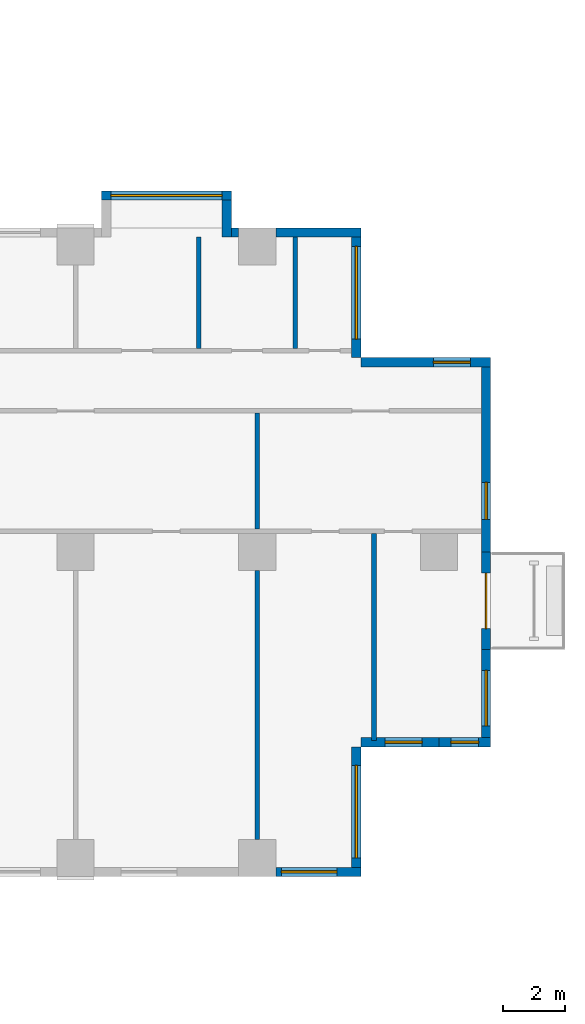
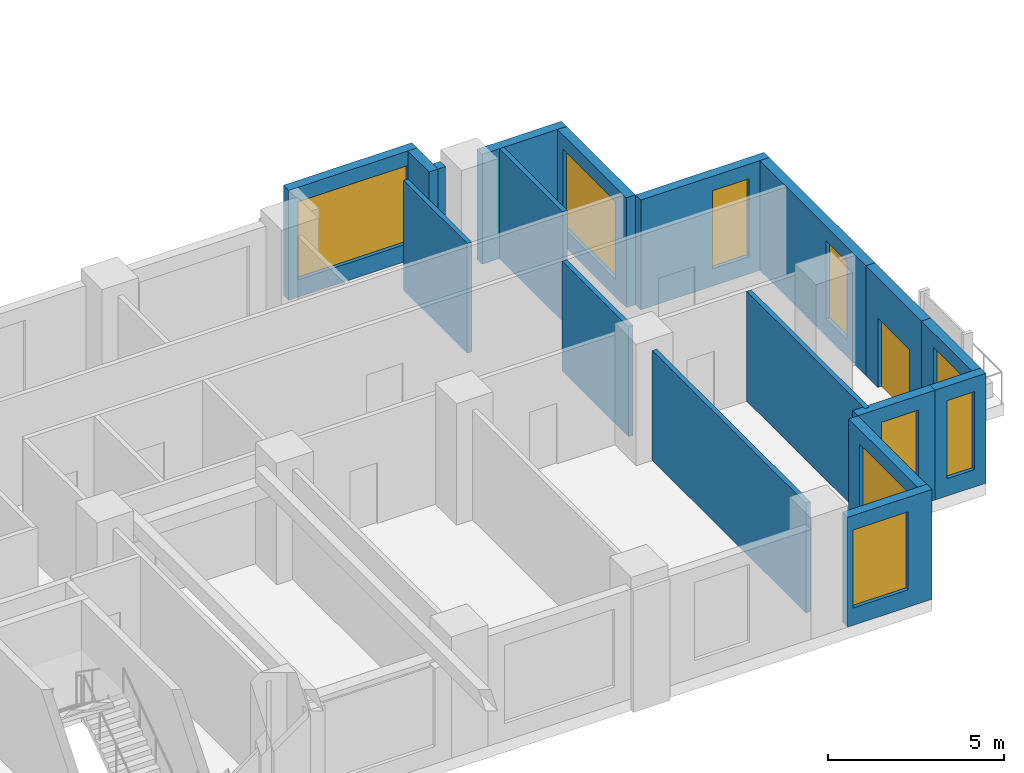
# One storey, part 8 of 14: 18 walls, 9 windows, 1 door, 10 openings.
"""IFC4 building model written with IfcOpenShell, lengths in metres."""

from ifc_helpers import new_model, si_unit, direction, frame, frame_2d, origin, place, context, subcontext, project, spatial, rectangle, extrude, source, transform, mapped, material, layer, layer_set, type_object, element, fill, save


model = new_model("IFC4")

# Units and contexts
model_context = context("Model", 3, precision=1e-05, world=origin(), true_north=direction((0.0, 1.0)))
body_context = subcontext(model_context, "Body", "Model", "MODEL_VIEW")
ifc_project = project(units=[si_unit("LENGTHUNIT", "METRE"), si_unit("AREAUNIT", "SQUARE_METRE"), si_unit("VOLUMEUNIT", "CUBIC_METRE"), si_unit("PLANEANGLEUNIT", "RADIAN"), si_unit("MASSUNIT", "GRAM", prefix="KILO")], contexts=[model_context])

# Site, building, storey
site_placement = place(None, origin())
site = spatial("IfcSite", under=ifc_project, at=site_placement, CompositionType="ELEMENT")
building_placement = place(site_placement, origin())
building = spatial("IfcBuilding", under=site, at=building_placement, Name="Aurelian Terraces", CompositionType="ELEMENT")
storey_placement = place(building_placement, frame((0.0, 0.0, 40.5)))
storey = spatial("IfcBuildingStorey", under=building, at=storey_placement, Name="L07", CompositionType="ELEMENT", Elevation=40.5)

# Wall, opening, window
ifc_material_1 = material(Name="Terracotta rainscreen cladding", Category="masonry")
ifc_layer_1 = layer(ifc_material_1, 0.3)
ifc_layer_set_1 = layer_set([ifc_layer_1], Name="EW-300")
wall_type_1 = type_object("IfcWallType", Name="EW-300", PredefinedType="STANDARD", material=ifc_layer_set_1)
wall_1_placement = place(storey_placement, frame((64.44, 0.15, 0.0), z_axis=(0.0, 0.0, 1.0), x_axis=(1.0, 0.0, 0.0)))
wall_1 = element("IfcWall", 1, at=wall_1_placement, inside=storey, type_object=wall_type_1, Name="External wall L07 F01.11", PredefinedType="STANDARD", context=body_context, shape_type="SweptSolid", body=[
    extrude(rectangle(XDim=2.76, YDim=0.3, at=frame_2d((1.38, 0.0))), origin(), (0.0, 0.0, 1.0), 3.8),
])
shared_shape_1 = source(origin(), body_context, "Body", "SweptSolid", [
    extrude(rectangle(XDim=1.8, YDim=2.7, at=frame_2d((0.9, 1.35))), frame((0.0, 0.16, 0.0), z_axis=(0.0, -1.0, 0.0), x_axis=(1.0, 0.0, 0.0)), (0.0, 0.0, 1.0), 0.32),
])
opening_1_placement = place(wall_1_placement, frame((0.18, 0.0, 0.6)))
opening_1 = element("IfcOpeningElement", 2, at=opening_1_placement, cuts=wall_1, Name="Opening W1827", PredefinedType="OPENING", context=body_context, shape_type="MappedRepresentation", body=[
    mapped(shared_shape_1, transform((0.0, 0.0, 0.0), scale=1.0)),
])
ifc_material_2 = material(Name="Clear glazing", Category="glass")
window_type_1 = type_object("IfcWindowType", Name="W-1800x2700", PartitioningType="SINGLE_PANEL", PredefinedType="WINDOW", material=ifc_material_2)
shared_shape_2 = source(origin(), body_context, "Body", "SweptSolid", [
    extrude(rectangle(XDim=1.8, YDim=2.7, at=frame_2d((0.9, 1.35))), frame((0.0, 0.03, 0.0), z_axis=(0.0, -1.0, 0.0), x_axis=(1.0, 0.0, 0.0)), (0.0, 0.0, 1.0), 0.06),
])
window_1_placement = place(opening_1_placement, origin())
window_1 = element("IfcWindow", 3, at=window_1_placement, inside=storey, type_object=window_type_1, Name="Window L07 L07-F01-11-0", OverallHeight=2.7, OverallWidth=1.8, PartitioningType="SINGLE_PANEL", PredefinedType="WINDOW", context=body_context, shape_type="MappedRepresentation", body=[
    mapped(shared_shape_2, transform((0.0, 0.0, 0.0), scale=1.0)),
])
fill(opening_1, window_1)

wall_2_placement = place(storey_placement, frame((67.05, 0.0, 0.0), z_axis=(0.0, 0.0, 1.0), x_axis=(0.0, 1.0, 0.0)))
wall_2 = element("IfcWall", 4, at=wall_2_placement, inside=storey, type_object=wall_type_1, Name="External wall L07 F02.12", PredefinedType="STANDARD", context=body_context, shape_type="SweptSolid", body=[
    extrude(rectangle(XDim=4.2, YDim=0.3, at=frame_2d((2.1, 0.0))), origin(), (0.0, 0.0, 1.0), 3.8),
])
opening_2_placement = place(wall_2_placement, frame((0.6, 0.0, 0.6)))
opening_2 = element("IfcOpeningElement", 5, at=opening_2_placement, cuts=wall_2, Name="Opening W3027", PredefinedType="OPENING", context=body_context, shape_type="SweptSolid", body=[
    extrude(rectangle(XDim=3.0, YDim=2.7, at=frame_2d((1.5, 1.35))), frame((0.0, 0.16, 0.0), z_axis=(0.0, -1.0, 0.0), x_axis=(1.0, 0.0, 0.0)), (0.0, 0.0, 1.0), 0.32),
])
window_type_2 = type_object("IfcWindowType", Name="W-3000x2700", PartitioningType="SINGLE_PANEL", PredefinedType="WINDOW", material=ifc_material_2)
window_2_placement = place(opening_2_placement, origin())
window_2 = element("IfcWindow", 6, at=window_2_placement, inside=storey, type_object=window_type_2, Name="Window L07 L07-F02-12-0", OverallHeight=2.7, OverallWidth=3.0, PartitioningType="SINGLE_PANEL", PredefinedType="WINDOW", context=body_context, shape_type="SweptSolid", body=[
    extrude(rectangle(XDim=3.0, YDim=2.7, at=frame_2d((1.5, 1.35))), frame((0.0, 0.03, 0.0), z_axis=(0.0, -1.0, 0.0), x_axis=(1.0, 0.0, 0.0)), (0.0, 0.0, 1.0), 0.06),
])
fill(opening_2, window_2)

wall_3_placement = place(storey_placement, frame((67.2, 4.35, 0.0), z_axis=(0.0, 0.0, 1.0), x_axis=(1.0, 0.0, 0.0)))
wall_3 = element("IfcWall", 7, at=wall_3_placement, inside=storey, type_object=wall_type_1, Name="External wall L07 F03.13", PredefinedType="STANDARD", context=body_context, shape_type="SweptSolid", body=[
    extrude(rectangle(XDim=2.52, YDim=0.3, at=frame_2d((1.26, 0.0))), origin(), (0.0, 0.0, 1.0), 3.8),
])
shared_shape_3 = source(origin(), body_context, "Body", "SweptSolid", [
    extrude(rectangle(XDim=1.2, YDim=2.7, at=frame_2d((0.6, 1.35))), frame((0.0, 0.16, 0.0), z_axis=(0.0, -1.0, 0.0), x_axis=(1.0, 0.0, 0.0)), (0.0, 0.0, 1.0), 0.32),
])
opening_3_placement = place(wall_3_placement, frame((0.7775, 0.0, 0.6)))
opening_3 = element("IfcOpeningElement", 8, at=opening_3_placement, cuts=wall_3, Name="Opening W1227", PredefinedType="OPENING", context=body_context, shape_type="MappedRepresentation", body=[
    mapped(shared_shape_3, transform((0.0, 0.0, 0.0), scale=1.0)),
])
window_type_3 = type_object("IfcWindowType", Name="W-1200x2700", PartitioningType="SINGLE_PANEL", PredefinedType="WINDOW", material=ifc_material_2)
shared_shape_4 = source(origin(), body_context, "Body", "SweptSolid", [
    extrude(rectangle(XDim=1.2, YDim=2.7, at=frame_2d((0.6, 1.35))), frame((0.0, 0.03, 0.0), z_axis=(0.0, -1.0, 0.0), x_axis=(1.0, 0.0, 0.0)), (0.0, 0.0, 1.0), 0.06),
])
window_3_placement = place(opening_3_placement, origin())
window_3 = element("IfcWindow", 9, at=window_3_placement, inside=storey, type_object=window_type_3, Name="Window L07 L07-F03-13-P0", OverallHeight=2.7, OverallWidth=1.2, PartitioningType="SINGLE_PANEL", PredefinedType="WINDOW", context=body_context, shape_type="MappedRepresentation", body=[
    mapped(shared_shape_4, transform((0.0, 0.0, 0.0), scale=1.0)),
])
fill(opening_3, window_3)

wall_4_placement = place(storey_placement, frame((69.72, 4.35, 0.0), z_axis=(0.0, 0.0, 1.0), x_axis=(1.0, 0.0, 0.0)))
wall_4 = element("IfcWall", 10, at=wall_4_placement, inside=storey, type_object=wall_type_1, Name="External wall L07 F03.14", PredefinedType="STANDARD", context=body_context, shape_type="SweptSolid", body=[
    extrude(rectangle(XDim=1.68, YDim=0.3, at=frame_2d((0.84, 0.0))), origin(), (0.0, 0.0, 1.0), 3.8),
])
shared_shape_5 = source(origin(), body_context, "Body", "SweptSolid", [
    extrude(rectangle(XDim=0.9, YDim=2.7, at=frame_2d((0.45, 1.35))), frame((0.0, 0.16, 0.0), z_axis=(0.0, -1.0, 0.0), x_axis=(1.0, 0.0, 0.0)), (0.0, 0.0, 1.0), 0.32),
])
opening_4_placement = place(wall_4_placement, frame((0.39, 0.0, 0.6)))
opening_4 = element("IfcOpeningElement", 11, at=opening_4_placement, cuts=wall_4, Name="Opening W0927", PredefinedType="OPENING", context=body_context, shape_type="MappedRepresentation", body=[
    mapped(shared_shape_5, transform((0.0, 0.0, 0.0), scale=1.0)),
])
window_type_4 = type_object("IfcWindowType", Name="W-900x2700", PartitioningType="SINGLE_PANEL", PredefinedType="WINDOW", material=ifc_material_2)
shared_shape_6 = source(origin(), body_context, "Body", "SweptSolid", [
    extrude(rectangle(XDim=0.9, YDim=2.7, at=frame_2d((0.45, 1.35))), frame((0.0, 0.03, 0.0), z_axis=(0.0, -1.0, 0.0), x_axis=(1.0, 0.0, 0.0)), (0.0, 0.0, 1.0), 0.06),
])
window_4_placement = place(opening_4_placement, origin())
window_4 = element("IfcWindow", 12, at=window_4_placement, inside=storey, type_object=window_type_4, Name="Window L07 L07-F03-14-P0", OverallHeight=2.7, OverallWidth=0.9, PartitioningType="SINGLE_PANEL", PredefinedType="WINDOW", context=body_context, shape_type="MappedRepresentation", body=[
    mapped(shared_shape_6, transform((0.0, 0.0, 0.0), scale=1.0)),
])
fill(opening_4, window_4)

wall_5_placement = place(storey_placement, frame((71.25, 10.5, 0.0), z_axis=(0.0, 0.0, 1.0), x_axis=(0.0, 1.0, 0.0)))
wall_5 = element("IfcWall", 13, at=wall_5_placement, inside=storey, type_object=wall_type_1, Name="External wall L07 F04.17", PredefinedType="STANDARD", context=body_context, shape_type="SweptSolid", body=[
    extrude(rectangle(XDim=6.3, YDim=0.3, at=frame_2d((3.15, 0.0))), origin(), (0.0, 0.0, 1.0), 3.8),
])
opening_5_placement = place(wall_5_placement, frame((1.0625, 0.0, 0.6)))
opening_5 = element("IfcOpeningElement", 14, at=opening_5_placement, cuts=wall_5, Name="Opening W1227", PredefinedType="OPENING", context=body_context, shape_type="MappedRepresentation", body=[
    mapped(shared_shape_3, transform((0.0, 0.0, 0.0), scale=1.0)),
])
window_5_placement = place(opening_5_placement, origin())
window_5 = element("IfcWindow", 15, at=window_5_placement, inside=storey, type_object=window_type_3, Name="Window L07 L07-F04-17-0", OverallHeight=2.7, OverallWidth=1.2, PartitioningType="SINGLE_PANEL", PredefinedType="WINDOW", context=body_context, shape_type="MappedRepresentation", body=[
    mapped(shared_shape_4, transform((0.0, 0.0, 0.0), scale=1.0)),
])
fill(opening_5, window_5)

# Walls
wall_6_placement = place(storey_placement, frame((63.24, 20.85, 0.0), z_axis=(0.0, 0.0, 1.0), x_axis=(-1.0, 0.0, 0.0)))
element("IfcWall", 16, at=wall_6_placement, inside=storey, type_object=wall_type_1, Name="External wall L07 F07.20", PredefinedType="STANDARD", context=body_context, shape_type="SweptSolid", body=[
    extrude(rectangle(XDim=0.24, YDim=0.3, at=frame_2d((0.12, 0.0))), origin(), (0.0, 0.0, 1.0), 3.8),
])
wall_7_placement = place(storey_placement, frame((62.85, 20.7, 0.0), z_axis=(0.0, 0.0, 1.0), x_axis=(0.0, 1.0, 0.0)))
element("IfcWall", 17, at=wall_7_placement, inside=storey, type_object=wall_type_1, Name="Bay return L07 F07.21.1", PredefinedType="STANDARD", context=body_context, shape_type="SweptSolid", body=[
    extrude(rectangle(XDim=1.2, YDim=0.3, at=frame_2d((0.6, 0.0))), origin(), (0.0, 0.0, 1.0), 3.8),
])
ifc_material_3 = material(Name="Gypsum board on steel studs", Category="steel")
ifc_layer_2 = layer(ifc_material_3, 0.15)
ifc_layer_set_2 = layer_set([ifc_layer_2], Name="Partition 150")
wall_type_2 = type_object("IfcWallType", Name="Partition 150", PredefinedType="PARTITIONING", material=ifc_layer_set_2)
wall_8_placement = place(storey_placement, frame((67.62, 4.405, 0.0), z_axis=(0.0, 0.0, 1.0), x_axis=(0.0, 1.0, 0.0)))
element("IfcWall", 18, at=wall_8_placement, inside=storey, type_object=wall_type_2, Name="Partition", PredefinedType="PARTITIONING", context=body_context, shape_type="SweptSolid", body=[
    extrude(rectangle(XDim=6.695, YDim=0.15, at=frame_2d((3.3475, 0.0))), origin(), (0.0, 0.0, 1.0), 3.8),
])

# Wall, opening, window
shared_shape_7 = source(origin(), body_context, "Body", "SweptSolid", [
    extrude(rectangle(XDim=3.15, YDim=0.3, at=frame_2d((1.575, 0.0))), origin(), (0.0, 0.0, 1.0), 3.8),
])
wall_9_placement = place(storey_placement, frame((71.25, 4.2, 0.0), z_axis=(0.0, 0.0, 1.0), x_axis=(0.0, 1.0, 0.0)))
wall_9 = element("IfcWall", 19, at=wall_9_placement, inside=storey, type_object=wall_type_1, Name="External wall L07 F04.15", PredefinedType="STANDARD", context=body_context, shape_type="MappedRepresentation", body=[
    mapped(shared_shape_7, transform((0.0, 0.0, 0.0), scale=1.0)),
])
opening_6_placement = place(wall_9_placement, frame((0.675, 0.0, 0.6)))
opening_6 = element("IfcOpeningElement", 20, at=opening_6_placement, cuts=wall_9, Name="Opening W1827", PredefinedType="OPENING", context=body_context, shape_type="MappedRepresentation", body=[
    mapped(shared_shape_1, transform((0.0, 0.0, 0.0), scale=1.0)),
])
window_6_placement = place(opening_6_placement, origin())
window_6 = element("IfcWindow", 21, at=window_6_placement, inside=storey, type_object=window_type_1, Name="Window L07 L07-F04-15-0", OverallHeight=2.7, OverallWidth=1.8, PartitioningType="SINGLE_PANEL", PredefinedType="WINDOW", context=body_context, shape_type="MappedRepresentation", body=[
    mapped(shared_shape_2, transform((0.0, 0.0, 0.0), scale=1.0)),
])
fill(opening_6, window_6)

# Wall, opening, door
wall_10_placement = place(storey_placement, frame((71.25, 7.35, 0.0), z_axis=(0.0, 0.0, 1.0), x_axis=(0.0, 1.0, 0.0)))
wall_10 = element("IfcWall", 22, at=wall_10_placement, inside=storey, type_object=wall_type_1, Name="External wall L07 F04.16", PredefinedType="STANDARD", context=body_context, shape_type="MappedRepresentation", body=[
    mapped(shared_shape_7, transform((0.0, 0.0, 0.0), scale=1.0)),
])
shared_shape_8 = source(origin(), body_context, "Body", "SweptSolid", [
    extrude(rectangle(XDim=1.8, YDim=2.4, at=frame_2d((0.9, 1.2))), frame((0.0, 0.16, 0.0), z_axis=(0.0, -1.0, 0.0), x_axis=(1.0, 0.0, 0.0)), (0.0, 0.0, 1.0), 0.32),
])
opening_7_placement = place(wall_10_placement, frame((0.675, 0.0, 0.0)))
opening_7 = element("IfcOpeningElement", 23, at=opening_7_placement, cuts=wall_10, Name="Opening 80701", PredefinedType="OPENING", context=body_context, shape_type="MappedRepresentation", body=[
    mapped(shared_shape_8, transform((0.0, 0.0, 0.0), scale=1.0)),
])
door_type = type_object("IfcDoorType", Name="BD-1800x2400", OperationType="SLIDING_TO_LEFT", PredefinedType="DOOR", material=ifc_material_2)
shared_shape_9 = source(origin(), body_context, "Body", "SweptSolid", [
    extrude(rectangle(XDim=1.8, YDim=2.4, at=frame_2d((0.9, 1.2))), frame((0.0, 0.025, 0.0), z_axis=(0.0, -1.0, 0.0), x_axis=(1.0, 0.0, 0.0)), (0.0, 0.0, 1.0), 0.05),
])
door_placement = place(opening_7_placement, origin())
door = element("IfcDoor", 24, at=door_placement, inside=storey, type_object=door_type, Name="Balcony door L07 F04.16", OperationType="SLIDING_TO_LEFT", OverallHeight=2.4, OverallWidth=1.8, PredefinedType="DOOR", context=body_context, shape_type="MappedRepresentation", body=[
    mapped(shared_shape_9, transform((0.0, 0.0, 0.0), scale=1.0)),
])
fill(opening_7, door)

# Wall, opening, window
shared_shape_10 = source(origin(), body_context, "Body", "SweptSolid", [
    extrude(rectangle(XDim=4.2, YDim=0.3, at=frame_2d((2.1, 0.0))), origin(), (0.0, 0.0, 1.0), 3.8),
])
wall_11_placement = place(storey_placement, frame((71.4, 16.65, 0.0), z_axis=(0.0, 0.0, 1.0), x_axis=(-1.0, 0.0, 0.0)))
wall_11 = element("IfcWall", 25, at=wall_11_placement, inside=storey, type_object=wall_type_1, Name="External wall L07 F05.18", PredefinedType="STANDARD", context=body_context, shape_type="MappedRepresentation", body=[
    mapped(shared_shape_10, transform((0.0, 0.0, 0.0), scale=1.0)),
])
opening_8_placement = place(wall_11_placement, frame((0.66, 0.0, 0.6)))
opening_8 = element("IfcOpeningElement", 26, at=opening_8_placement, cuts=wall_11, Name="Opening W1227", PredefinedType="OPENING", context=body_context, shape_type="MappedRepresentation", body=[
    mapped(shared_shape_3, transform((0.0, 0.0, 0.0), scale=1.0)),
])
window_7_placement = place(opening_8_placement, origin())
window_7 = element("IfcWindow", 27, at=window_7_placement, inside=storey, type_object=window_type_3, Name="Window L07 L07-F05-18-0", OverallHeight=2.7, OverallWidth=1.2, PartitioningType="SINGLE_PANEL", PredefinedType="WINDOW", context=body_context, shape_type="MappedRepresentation", body=[
    mapped(shared_shape_4, transform((0.0, 0.0, 0.0), scale=1.0)),
])
fill(opening_8, window_7)

wall_12_placement = place(storey_placement, frame((67.05, 16.8, 0.0), z_axis=(0.0, 0.0, 1.0), x_axis=(0.0, 1.0, 0.0)))
wall_12 = element("IfcWall", 28, at=wall_12_placement, inside=storey, type_object=wall_type_1, Name="External wall L07 F06.19", PredefinedType="STANDARD", context=body_context, shape_type="MappedRepresentation", body=[
    mapped(shared_shape_10, transform((0.0, 0.0, 0.0), scale=1.0)),
])
shared_shape_11 = source(origin(), body_context, "Body", "SweptSolid", [
    extrude(rectangle(XDim=3.0, YDim=2.7, at=frame_2d((1.5, 1.35))), frame((0.0, 0.16, 0.0), z_axis=(0.0, -1.0, 0.0), x_axis=(1.0, 0.0, 0.0)), (0.0, 0.0, 1.0), 0.32),
])
opening_9_placement = place(wall_12_placement, frame((0.6, 0.0, 0.6)))
opening_9 = element("IfcOpeningElement", 29, at=opening_9_placement, cuts=wall_12, Name="Opening W3027", PredefinedType="OPENING", context=body_context, shape_type="MappedRepresentation", body=[
    mapped(shared_shape_11, transform((0.0, 0.0, 0.0), scale=1.0)),
])
shared_shape_12 = source(origin(), body_context, "Body", "SweptSolid", [
    extrude(rectangle(XDim=3.0, YDim=2.7, at=frame_2d((1.5, 1.35))), frame((0.0, 0.03, 0.0), z_axis=(0.0, -1.0, 0.0), x_axis=(1.0, 0.0, 0.0)), (0.0, 0.0, 1.0), 0.06),
])
window_8_placement = place(opening_9_placement, origin())
window_8 = element("IfcWindow", 30, at=window_8_placement, inside=storey, type_object=window_type_2, Name="Window L07 L07-F06-19-0", OverallHeight=2.7, OverallWidth=3.0, PartitioningType="SINGLE_PANEL", PredefinedType="WINDOW", context=body_context, shape_type="MappedRepresentation", body=[
    mapped(shared_shape_12, transform((0.0, 0.0, 0.0), scale=1.0)),
])
fill(opening_9, window_8)

wall_13_placement = place(storey_placement, frame((63.0, 22.05, 0.0), z_axis=(0.0, 0.0, 1.0), x_axis=(-1.0, 0.0, 0.0)))
wall_13 = element("IfcWall", 31, at=wall_13_placement, inside=storey, type_object=wall_type_1, Name="Bay wall L07 F07.21", PredefinedType="STANDARD", context=body_context, shape_type="MappedRepresentation", body=[
    mapped(shared_shape_10, transform((0.0, 0.0, 0.0), scale=1.0)),
])
shared_shape_13 = source(origin(), body_context, "Body", "SweptSolid", [
    extrude(rectangle(XDim=3.6, YDim=2.7, at=frame_2d((1.8, 1.35))), frame((0.0, 0.16, 0.0), z_axis=(0.0, -1.0, 0.0), x_axis=(1.0, 0.0, 0.0)), (0.0, 0.0, 1.0), 0.32),
])
opening_10_placement = place(wall_13_placement, frame((0.3, 0.0, 0.6)))
opening_10 = element("IfcOpeningElement", 32, at=opening_10_placement, cuts=wall_13, Name="Opening W3627", PredefinedType="OPENING", context=body_context, shape_type="MappedRepresentation", body=[
    mapped(shared_shape_13, transform((0.0, 0.0, 0.0), scale=1.0)),
])
window_type_5 = type_object("IfcWindowType", Name="W-3600x2700", PartitioningType="SINGLE_PANEL", PredefinedType="WINDOW", material=ifc_material_2)
shared_shape_14 = source(origin(), body_context, "Body", "SweptSolid", [
    extrude(rectangle(XDim=3.6, YDim=2.7, at=frame_2d((1.8, 1.35))), frame((0.0, 0.03, 0.0), z_axis=(0.0, -1.0, 0.0), x_axis=(1.0, 0.0, 0.0)), (0.0, 0.0, 1.0), 0.06),
])
window_9_placement = place(opening_10_placement, origin())
window_9 = element("IfcWindow", 33, at=window_9_placement, inside=storey, type_object=window_type_5, Name="Window L07 L07-F07-21-0", OverallHeight=2.7, OverallWidth=3.6, PartitioningType="SINGLE_PANEL", PredefinedType="WINDOW", context=body_context, shape_type="MappedRepresentation", body=[
    mapped(shared_shape_14, transform((0.0, 0.0, 0.0), scale=1.0)),
])
fill(opening_10, window_9)

# Walls
shared_shape_15 = source(origin(), body_context, "Body", "SweptSolid", [
    extrude(rectangle(XDim=2.76, YDim=0.3, at=frame_2d((1.38, 0.0))), origin(), (0.0, 0.0, 1.0), 3.8),
])
wall_14_placement = place(storey_placement, frame((67.2, 20.85, 0.0), z_axis=(0.0, 0.0, 1.0), x_axis=(-1.0, 0.0, 0.0)))
element("IfcWall", 34, at=wall_14_placement, inside=storey, type_object=wall_type_1, Name="External wall L07 F07.20", PredefinedType="STANDARD", context=body_context, shape_type="MappedRepresentation", body=[
    mapped(shared_shape_15, transform((0.0, 0.0, 0.0), scale=1.0)),
])
shared_shape_16 = source(origin(), body_context, "Body", "SweptSolid", [
    extrude(rectangle(XDim=3.75, YDim=0.15, at=frame_2d((1.875, 0.0))), origin(), (0.0, 0.0, 1.0), 3.8),
])
wall_15_placement = place(storey_placement, frame((63.84, 11.25, 0.0), z_axis=(0.0, 0.0, 1.0), x_axis=(0.0, 1.0, 0.0)))
element("IfcWall", 35, at=wall_15_placement, inside=storey, type_object=wall_type_2, Name="Partition", PredefinedType="PARTITIONING", context=body_context, shape_type="MappedRepresentation", body=[
    mapped(shared_shape_16, transform((0.0, 0.0, 0.0), scale=1.0)),
])
shared_shape_17 = source(origin(), body_context, "Body", "SweptSolid", [
    extrude(rectangle(XDim=8.702, YDim=0.15, at=frame_2d((4.351, 0.0))), origin(), (0.0, 0.0, 1.0), 3.8),
])
wall_16_placement = place(storey_placement, frame((63.84, 1.199, 0.0), z_axis=(0.0, 0.0, 1.0), x_axis=(0.0, 1.0, 0.0)))
element("IfcWall", 36, at=wall_16_placement, inside=storey, type_object=wall_type_2, Name="Partition", PredefinedType="PARTITIONING", context=body_context, shape_type="MappedRepresentation", body=[
    mapped(shared_shape_17, transform((0.0, 0.0, 0.0), scale=1.0)),
])
shared_shape_18 = source(origin(), body_context, "Body", "SweptSolid", [
    extrude(rectangle(XDim=3.6, YDim=0.15, at=frame_2d((1.8, 0.0))), origin(), (0.0, 0.0, 1.0), 3.8),
])
for number, where, z_axis, x_axis, name in (
    (37, (61.9445, 20.7, 0.0), (0.0, 0.0, 1.0), (0.0, -1.0, 0.0), "Partition"),
    (38, (65.0722, 20.7, 0.0), (0.0, 0.0, 1.0), (0.0, -1.0, 0.0), "Partition"),
):
    element("IfcWall", number, at=place(storey_placement, frame(where, z_axis=z_axis, x_axis=x_axis)), inside=storey, type_object=wall_type_2, Name=name, PredefinedType="PARTITIONING", context=body_context, shape_type="MappedRepresentation", body=[
        mapped(shared_shape_18, transform((0.0, 0.0, 0.0), scale=1.0)),
    ])

save(model, "model.ifc")
